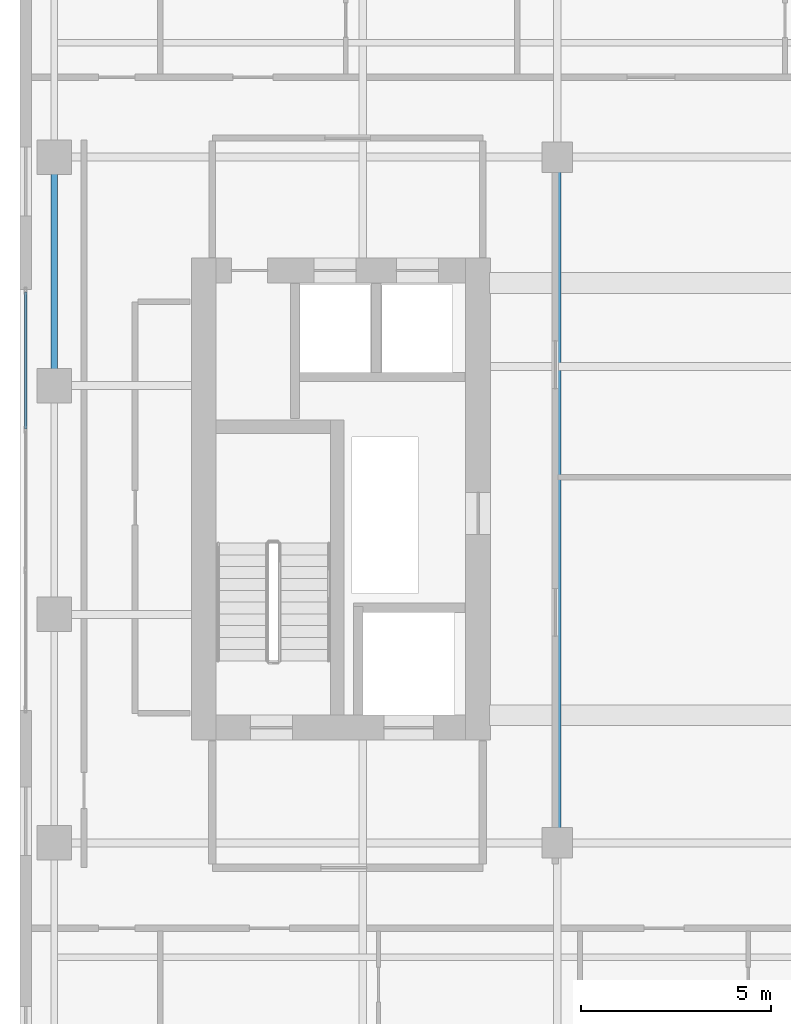
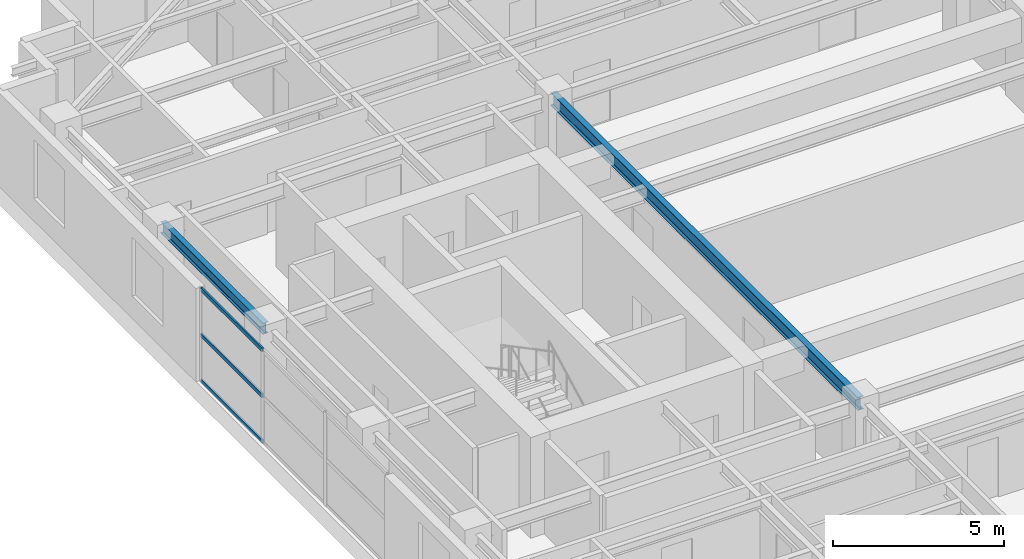
# One storey, part 9 of 24: 3 members, 2 beams, 1 element without a shape of its own.
"""IFC4 building model written with IfcOpenShell, lengths in metres."""

from ifc_helpers import new_model, si_unit, direction, frame, origin, origin_2d, place, context, subcontext, project, spatial, hollow_rectangle, i_section, extrude, source, transform, mapped, material, layer, layer_set, material_profile, profile_set, type_object, element, aggregate, save


model = new_model("IFC4")

# Units and contexts
model_context = context("Model", 3, precision=1e-05, world=origin(), true_north=direction((0.0, 1.0)))
body_context = subcontext(model_context, "Body", "Model", "MODEL_VIEW")
ifc_project = project(units=[si_unit("LENGTHUNIT", "METRE"), si_unit("AREAUNIT", "SQUARE_METRE"), si_unit("VOLUMEUNIT", "CUBIC_METRE"), si_unit("PLANEANGLEUNIT", "RADIAN"), si_unit("MASSUNIT", "GRAM", prefix="KILO")], contexts=[model_context])

# Site, building, storey
site_placement = place(None, origin())
site = spatial("IfcSite", under=ifc_project, at=site_placement, CompositionType="ELEMENT")
building_placement = place(site_placement, origin())
building = spatial("IfcBuilding", under=site, at=building_placement, Name="Khoralis Quay Care Tower", CompositionType="ELEMENT")
storey_placement = place(building_placement, frame((0.0, 0.0, 155.699951171875)))
storey = spatial("IfcBuildingStorey", under=building, at=storey_placement, Name="L40", CompositionType="ELEMENT", Elevation=155.699951171875)

# Beams
ifc_material_1 = material(Name="Steel S355", Category="steel")
ifc_material_profile_1 = material_profile(ifc_material_1, i_section(OverallWidth=0.179931640625, OverallDepth=0.39990234375, WebThickness=0.008544921875, FlangeThickness=0.013427734375, FilletRadius=0.02099609375, at=origin_2d()), Name="Steel S355")
ifc_profile_set_1 = profile_set([ifc_material_profile_1], Name="Steel S355")
beam_type_1 = type_object("IfcBeamType", Name="BM-IPE400", PredefinedType="SPANDREL", material=ifc_profile_set_1)
shared_shape_1 = source(origin(), body_context, "Body", "SweptSolid", [
    extrude(i_section(OverallWidth=0.179931640625, OverallDepth=0.39990234375, WebThickness=0.008544921875, FlangeThickness=0.013427734375, FilletRadius=0.02099609375, at=origin_2d()), origin(), (0.0, 0.0, 1.0), 6.0),
])
beam_1_placement = place(storey_placement, frame((3.89990234375, 24.0, 3.14013671875), z_axis=(0.0, 1.0, 0.0), x_axis=(-1.0, 0.0, 0.0)))
element("IfcBeam", 1, at=beam_1_placement, inside=storey, type_object=beam_type_1, Name="BM-TSP-L40-12", PredefinedType="SPANDREL", context=body_context, shape_type="MappedRepresentation", body=[
    mapped(shared_shape_1, transform((0.0, 0.0, 0.0), scale=1.0)),
])
ifc_material_profile_2 = material_profile(ifc_material_1, i_section(OverallWidth=0.19189453125, OverallDepth=0.462890625, WebThickness=0.010498046875, FlangeThickness=0.017578125, FilletRadius=0.014892578125, at=origin_2d()), Name="Steel S355")
ifc_profile_set_2 = profile_set([ifc_material_profile_2], Name="Steel S355")
beam_type_2 = type_object("IfcBeamType", Name="BM-W460X89", PredefinedType="BEAM", material=ifc_profile_set_2)
shared_shape_2 = source(origin(), body_context, "Body", "SweptSolid", [
    extrude(i_section(OverallWidth=0.19189453125, OverallDepth=0.462890625, WebThickness=0.010498046875, FlangeThickness=0.017578125, FilletRadius=0.014892578125, at=origin_2d()), origin(), (0.0, 0.0, 1.0), 18.0),
])
beam_2_placement = place(storey_placement, frame((17.10009765625, 12.0, 3.108642578125), z_axis=(0.0, 1.0, 0.0), x_axis=(-1.0, 0.0, 0.0)))
element("IfcBeam", 2, at=beam_2_placement, inside=storey, type_object=beam_type_2, Name="BM-TGSW-L40", PredefinedType="BEAM", context=body_context, shape_type="MappedRepresentation", body=[
    mapped(shared_shape_2, transform((0.0, 0.0, 0.0), scale=1.0)),
])

# Curtain wall, members
ifc_material_2 = material(Name="Pale anodised aluminium", Category="aluminium")
ifc_layer = layer(ifc_material_2, 0.159912109375)
ifc_layer_set = layer_set([ifc_layer], Name="Pale anodised aluminium")
curtain_wall_type = type_object("IfcCurtainWallType", Name="CW-SYS-Z3", PredefinedType="NOTDEFINED", material=ifc_layer_set)
curtain_wall_placement = place(storey_placement, origin())
curtain_wall = element("IfcCurtainWall", 3, at=curtain_wall_placement, inside=storey, type_object=curtain_wall_type, Name="L40 Unitised Curtain Wall CW-L40-P1-E15", PredefinedType="NOTDEFINED")
ifc_material_profile_3 = material_profile(ifc_material_2, hollow_rectangle(XDim=0.06005859375, YDim=0.139892578125, WallThickness=0.00390625, at=origin_2d()), Name="Pale anodised aluminium")
ifc_profile_set_3 = profile_set([ifc_material_profile_3], Name="Pale anodised aluminium")
member_type = type_object("IfcMemberType", Name="CW-TRN-140", PredefinedType="USERDEFINED", material=ifc_profile_set_3)
shared_shape_3 = source(origin(), body_context, "Body", "SweptSolid", [
    extrude(hollow_rectangle(XDim=0.06005859375, YDim=0.139892578125, WallThickness=0.00390625, at=origin_2d()), origin(), (0.0, 0.0, 1.0), 3.58984375),
])
member_1_placement = place(storey_placement, frame((3.14990234375, 26.4599609375, 0.030029296875), z_axis=(0.0, -1.0, 0.0), x_axis=(1.0, 0.0, 0.0)))
member_1 = element("IfcMember", 4, at=member_1_placement, type_object=member_type, Name="CW3 transom 1.1", ObjectType="TRANSOM", PredefinedType="USERDEFINED", context=body_context, shape_type="MappedRepresentation", body=[
    mapped(shared_shape_3, transform((0.0, 0.0, 0.0), scale=1.0)),
])
member_2_placement = place(storey_placement, frame((3.14990234375, 26.4599609375, 1.670166015625), z_axis=(0.0, -1.0, 0.0), x_axis=(1.0, 0.0, 0.0)))
member_2 = element("IfcMember", 5, at=member_2_placement, type_object=member_type, Name="CW3 transom 1.2", ObjectType="TRANSOM", PredefinedType="USERDEFINED", context=body_context, shape_type="MappedRepresentation", body=[
    mapped(shared_shape_3, transform((0.0, 0.0, 0.0), scale=1.0)),
])
member_3_placement = place(storey_placement, frame((3.14990234375, 26.4599609375, 3.31005859375), z_axis=(0.0, -1.0, 0.0), x_axis=(1.0, 0.0, 0.0)))
member_3 = element("IfcMember", 6, at=member_3_placement, type_object=member_type, Name="CW3 transom 1.3", ObjectType="TRANSOM", PredefinedType="USERDEFINED", context=body_context, shape_type="MappedRepresentation", body=[
    mapped(shared_shape_3, transform((0.0, 0.0, 0.0), scale=1.0)),
])
aggregate(curtain_wall, [member_1, member_2, member_3])

save(model, "model.ifc")
